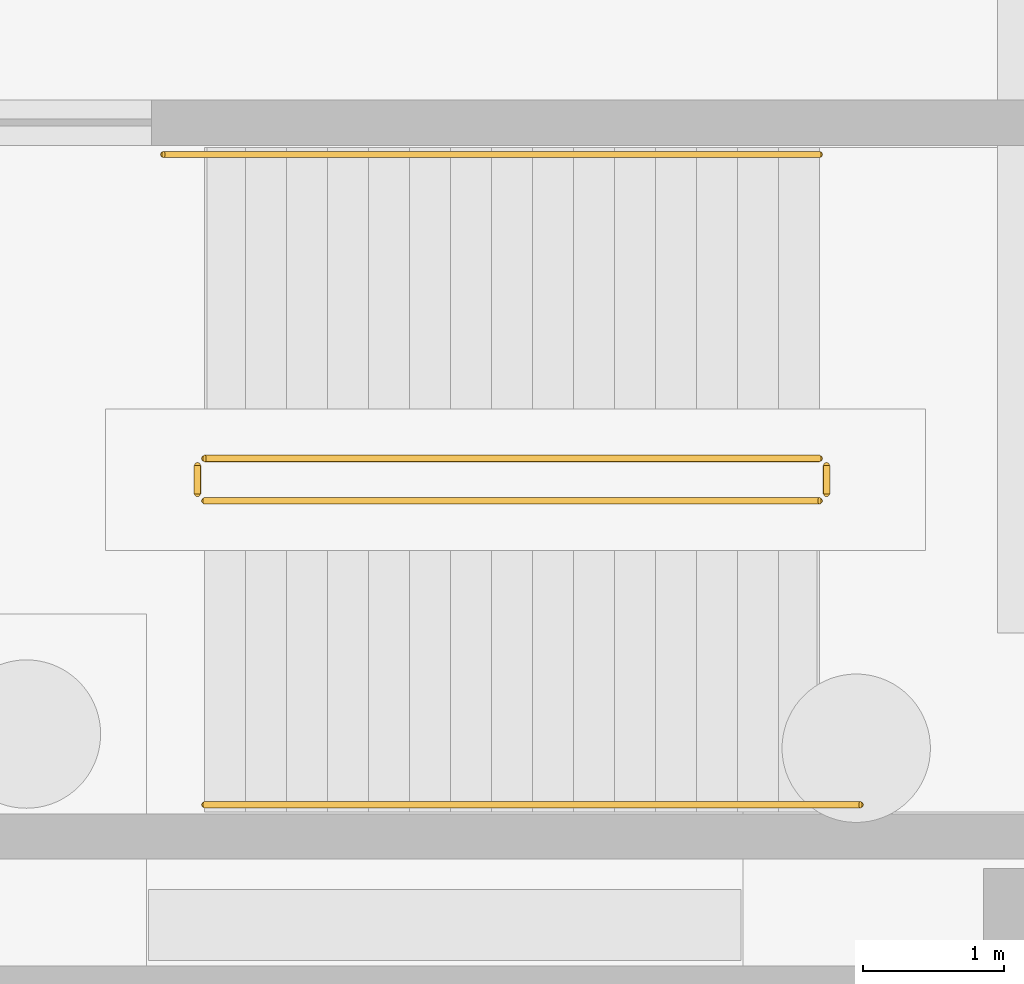
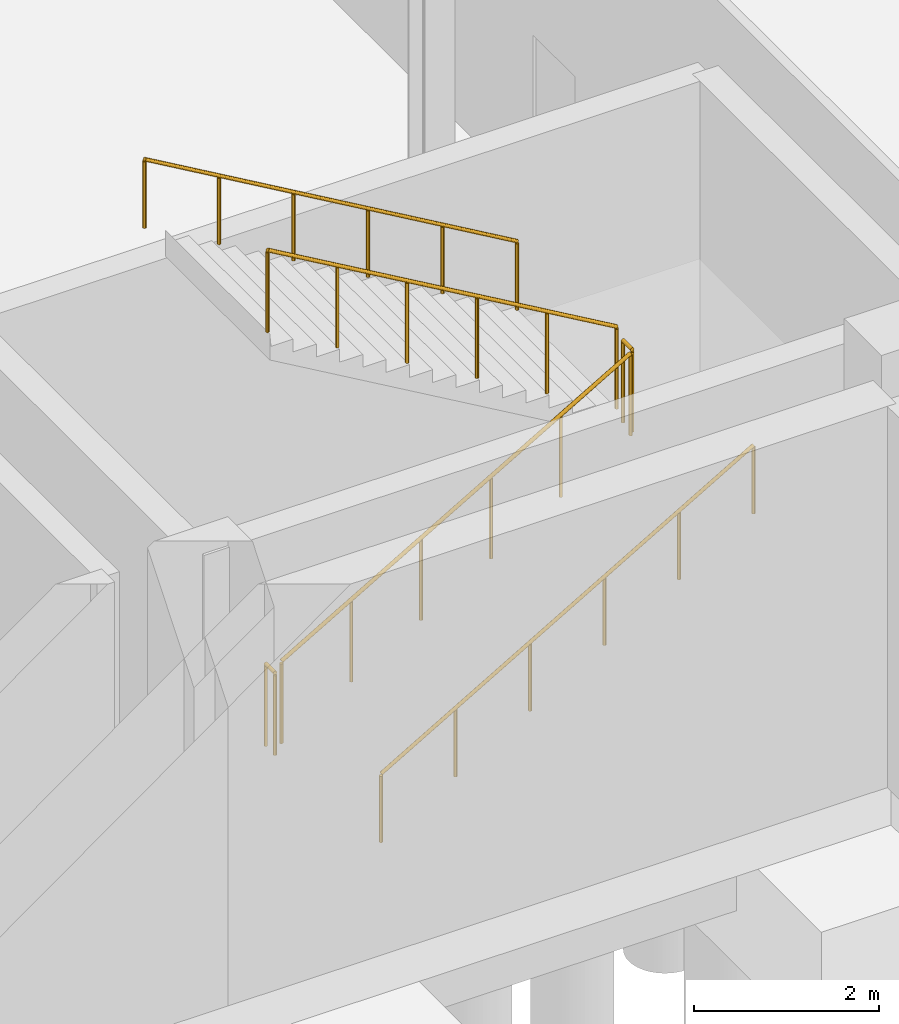
# One storey, part 59 of 60: 6 railings.
"""IFC4 building model written with IfcOpenShell, lengths in metres."""

from ifc_helpers import new_model, si_unit, direction, frame, origin, origin_2d, place, context, subcontext, project, spatial, circle, extrude, material, type_object, element, save


model = new_model("IFC4")

# Units and contexts
model_context = context("Model", 3, precision=1e-05, world=origin(), true_north=direction((0.0, 1.0)))
body_context = subcontext(model_context, "Body", "Model", "MODEL_VIEW")
ifc_project = project(units=[si_unit("LENGTHUNIT", "METRE"), si_unit("AREAUNIT", "SQUARE_METRE"), si_unit("VOLUMEUNIT", "CUBIC_METRE"), si_unit("PLANEANGLEUNIT", "RADIAN"), si_unit("MASSUNIT", "GRAM", prefix="KILO")], contexts=[model_context])

# Site, building, storey
site_placement = place(None, origin())
site = spatial("IfcSite", under=ifc_project, at=site_placement, CompositionType="ELEMENT")
building_placement = place(site_placement, origin())
building = spatial("IfcBuilding", under=site, at=building_placement, Name="Trimount Lyric Opera House", CompositionType="ELEMENT")
storey_placement = place(building_placement, frame((0.0, 0.0, -5.39990234375)))
storey = spatial("IfcBuildingStorey", under=building, at=storey_placement, Name="B1", CompositionType="ELEMENT", Elevation=-5.39990234375)

# Railings
ifc_material_1 = material(Name="Brushed Stainless Steel 316", Category="steel")
railing_type_1 = type_object("IfcRailingType", Name="RL-GRD110", PredefinedType="GUARDRAIL", material=ifc_material_1)
railing_1_placement = place(storey_placement, frame((150.85009765625, 47.0, 0.168701171875)))
element("IfcRailing", 1, at=railing_1_placement, inside=storey, type_object=railing_type_1, Name="B1 ST-05 stair guard 1", PredefinedType="GUARDRAIL", context=body_context, shape_type="SweptSolid", body=[
    extrude(circle(Radius=0.02392578125, at=origin_2d()), frame((0.0, 0.0, 1.076171875), z_axis=(0.864311530196, 0.0, 0.502956835891), x_axis=(0.0, 1.0, 0.0)), (0.0, 0.0, 1.0), 5.03271484375),
    extrude(circle(Radius=0.02099609375, at=origin_2d()), origin(), (0.0, 0.0, 1.0), 1.052001953125),
    extrude(circle(Radius=0.02099609375, at=origin_2d()), frame((0.869873046875, 0.0, 0.50634765625)), (0.0, 0.0, 1.0), 1.052001953125),
    extrude(circle(Radius=0.02099609375, at=origin_2d()), frame((1.739990234375, 0.0, 1.012451171875)), (0.0, 0.0, 1.0), 1.052001953125),
    extrude(circle(Radius=0.02099609375, at=origin_2d()), frame((2.60986328125, 0.0, 1.518798828125)), (0.0, 0.0, 1.0), 1.052001953125),
    extrude(circle(Radius=0.02099609375, at=origin_2d()), frame((3.47998046875, 0.0, 2.02490234375)), (0.0, 0.0, 1.0), 1.052001953125),
    extrude(circle(Radius=0.02099609375, at=origin_2d()), frame((4.349853515625, 0.0, 2.53125)), (0.0, 0.0, 1.0), 1.052001953125),
])
railing_2_placement = place(storey_placement, frame((155.25, 47.050048828125, 2.699951171875)))
element("IfcRailing", 2, at=railing_2_placement, inside=storey, type_object=railing_type_1, Name="B1 ST-05 stair guard 2", PredefinedType="GUARDRAIL", context=body_context, shape_type="SweptSolid", body=[
    extrude(circle(Radius=0.02392578125, at=origin_2d()), frame((0.0, 0.0, 1.076171875), z_axis=(0.0, 1.0, 0.0), x_axis=(-1.0, 0.0, 0.0)), (0.0, 0.0, 1.0), 0.199951171875),
    extrude(circle(Radius=0.02099609375, at=origin_2d()), origin(), (0.0, 0.0, 1.0), 1.052001953125),
    extrude(circle(Radius=0.02099609375, at=origin_2d()), frame((0.0, 0.199951171875, 0.0)), (0.0, 0.0, 1.0), 1.052001953125),
])
railing_3_placement = place(storey_placement, frame((155.199951171875, 47.300048828125, 2.86865234375)))
element("IfcRailing", 3, at=railing_3_placement, inside=storey, type_object=railing_type_1, Name="B1 ST-05 stair guard 3", PredefinedType="GUARDRAIL", context=body_context, shape_type="SweptSolid", body=[
    extrude(circle(Radius=0.02392578125, at=origin_2d()), frame((0.0, 0.0, 1.076171875), z_axis=(-0.864311530196, 0.0, 0.502956835891), x_axis=(0.0, -1.0, 0.0)), (0.0, 0.0, 1.0), 5.03271484375),
    extrude(circle(Radius=0.02099609375, at=origin_2d()), origin(), (0.0, 0.0, 1.0), 1.052001953125),
    extrude(circle(Radius=0.02099609375, at=origin_2d()), frame((-0.869873046875, 0.0, 0.50634765625)), (0.0, 0.0, 1.0), 1.052001953125),
    extrude(circle(Radius=0.02099609375, at=origin_2d()), frame((-1.739990234375, 0.0, 1.012451171875)), (0.0, 0.0, 1.0), 1.052001953125),
    extrude(circle(Radius=0.02099609375, at=origin_2d()), frame((-2.60986328125, 0.0, 1.518798828125)), (0.0, 0.0, 1.0), 1.052001953125),
    extrude(circle(Radius=0.02099609375, at=origin_2d()), frame((-3.47998046875, 0.0, 2.02490234375)), (0.0, 0.0, 1.0), 1.052001953125),
    extrude(circle(Radius=0.02099609375, at=origin_2d()), frame((-4.349853515625, 0.0, 2.53125)), (0.0, 0.0, 1.0), 1.052001953125),
])
railing_4_placement = place(storey_placement, frame((150.800048828125, 47.050048828125, 0.0)))
element("IfcRailing", 4, at=railing_4_placement, inside=storey, type_object=railing_type_1, Name="B1 ST-05 stair guard 4", PredefinedType="GUARDRAIL", context=body_context, shape_type="SweptSolid", body=[
    extrude(circle(Radius=0.02392578125, at=origin_2d()), frame((0.0, 0.0, 1.076171875), z_axis=(0.0, 1.0, 0.0), x_axis=(-1.0, 0.0, 0.0)), (0.0, 0.0, 1.0), 0.199951171875),
    extrude(circle(Radius=0.02099609375, at=origin_2d()), origin(), (0.0, 0.0, 1.0), 1.052001953125),
    extrude(circle(Radius=0.02099609375, at=origin_2d()), frame((0.0, 0.199951171875, 0.0)), (0.0, 0.0, 1.0), 1.052001953125),
])
ifc_material_2 = material(Name="Brushed Stainless Steel 316", Category="steel")
railing_type_2 = type_object("IfcRailingType", Name="RL-HND092", PredefinedType="HANDRAIL", material=ifc_material_2)
railing_5_placement = place(storey_placement, frame((150.85009765625, 44.85009765625, 0.168701171875)))
element("IfcRailing", 5, at=railing_5_placement, inside=storey, type_object=railing_type_2, Name="B1 ST-05 stair handrail 1", PredefinedType="HANDRAIL", context=body_context, shape_type="SweptSolid", body=[
    extrude(circle(Radius=0.0224609375, at=origin_2d()), frame((0.0, 0.0, 0.8974609375), z_axis=(0.864060742353, 0.0, 0.503387557976), x_axis=(0.0, 1.0, 0.0)), (0.0, 0.0, 1.0), 5.369873046875),
    extrude(circle(Radius=0.02099609375, at=origin_2d()), origin(), (0.0, 0.0, 1.0), 0.875),
    extrude(circle(Radius=0.02099609375, at=origin_2d()), frame((0.927978515625, 0.0, 0.54052734375)), (0.0, 0.0, 1.0), 0.875),
    extrude(circle(Radius=0.02099609375, at=origin_2d()), frame((1.85595703125, 0.0, 1.081298828125)), (0.0, 0.0, 1.0), 0.875),
    extrude(circle(Radius=0.02099609375, at=origin_2d()), frame((2.783935546875, 0.0, 1.621826171875)), (0.0, 0.0, 1.0), 0.875),
    extrude(circle(Radius=0.02099609375, at=origin_2d()), frame((3.7119140625, 0.0, 2.16259765625)), (0.0, 0.0, 1.0), 0.875),
    extrude(circle(Radius=0.02099609375, at=origin_2d()), frame((4.639892578125, 0.0, 2.703125)), (0.0, 0.0, 1.0), 0.875),
])
railing_6_placement = place(storey_placement, frame((155.199951171875, 49.449951171875, 2.86865234375)))
element("IfcRailing", 6, at=railing_6_placement, inside=storey, type_object=railing_type_2, Name="B1 ST-05 stair handrail 2", PredefinedType="HANDRAIL", context=body_context, shape_type="SweptSolid", body=[
    extrude(circle(Radius=0.0224609375, at=origin_2d()), frame((0.0, 0.0, 0.8974609375), z_axis=(-0.864060742353, 0.0, 0.503387557976), x_axis=(0.0, -1.0, 0.0)), (0.0, 0.0, 1.0), 5.369873046875),
    extrude(circle(Radius=0.02099609375, at=origin_2d()), origin(), (0.0, 0.0, 1.0), 0.875),
    extrude(circle(Radius=0.02099609375, at=origin_2d()), frame((-0.927978515625, 0.0, 0.54052734375)), (0.0, 0.0, 1.0), 0.875),
    extrude(circle(Radius=0.02099609375, at=origin_2d()), frame((-1.85595703125, 0.0, 1.081298828125)), (0.0, 0.0, 1.0), 0.875),
    extrude(circle(Radius=0.02099609375, at=origin_2d()), frame((-2.783935546875, 0.0, 1.621826171875)), (0.0, 0.0, 1.0), 0.875),
    extrude(circle(Radius=0.02099609375, at=origin_2d()), frame((-3.7119140625, 0.0, 2.16259765625)), (0.0, 0.0, 1.0), 0.875),
    extrude(circle(Radius=0.02099609375, at=origin_2d()), frame((-4.639892578125, 0.0, 2.703125)), (0.0, 0.0, 1.0), 0.875),
])

save(model, "model.ifc")
